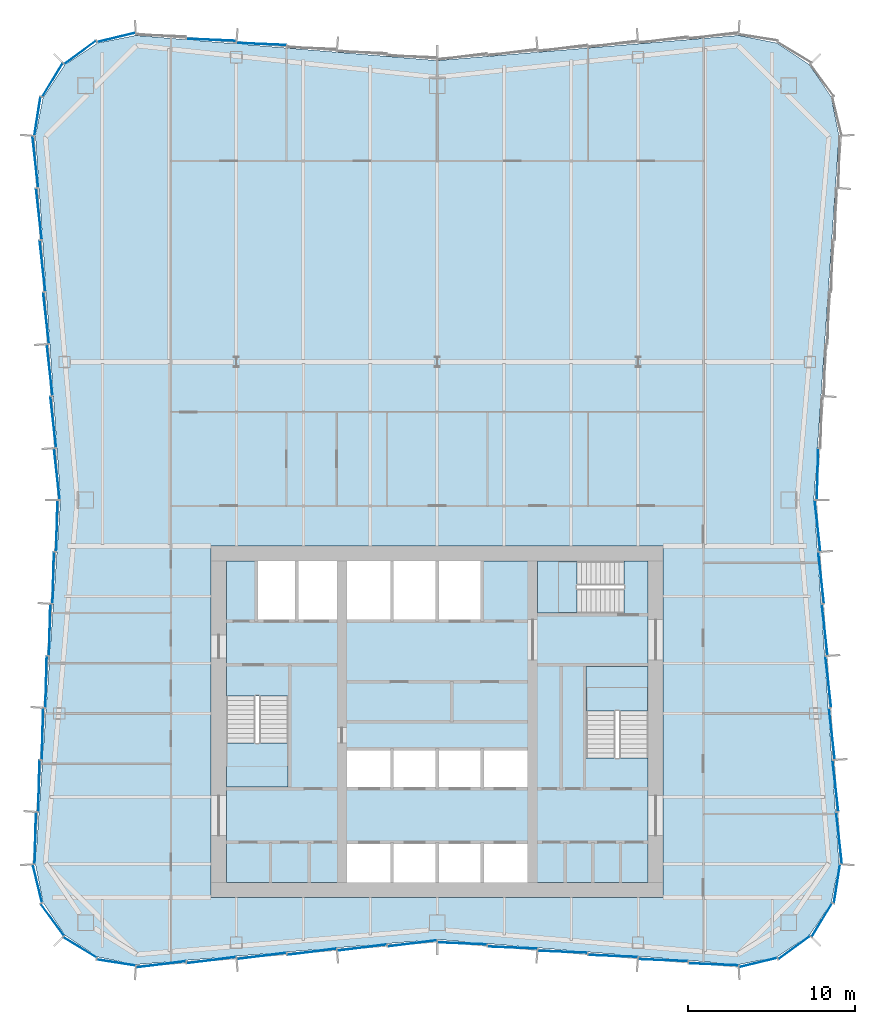
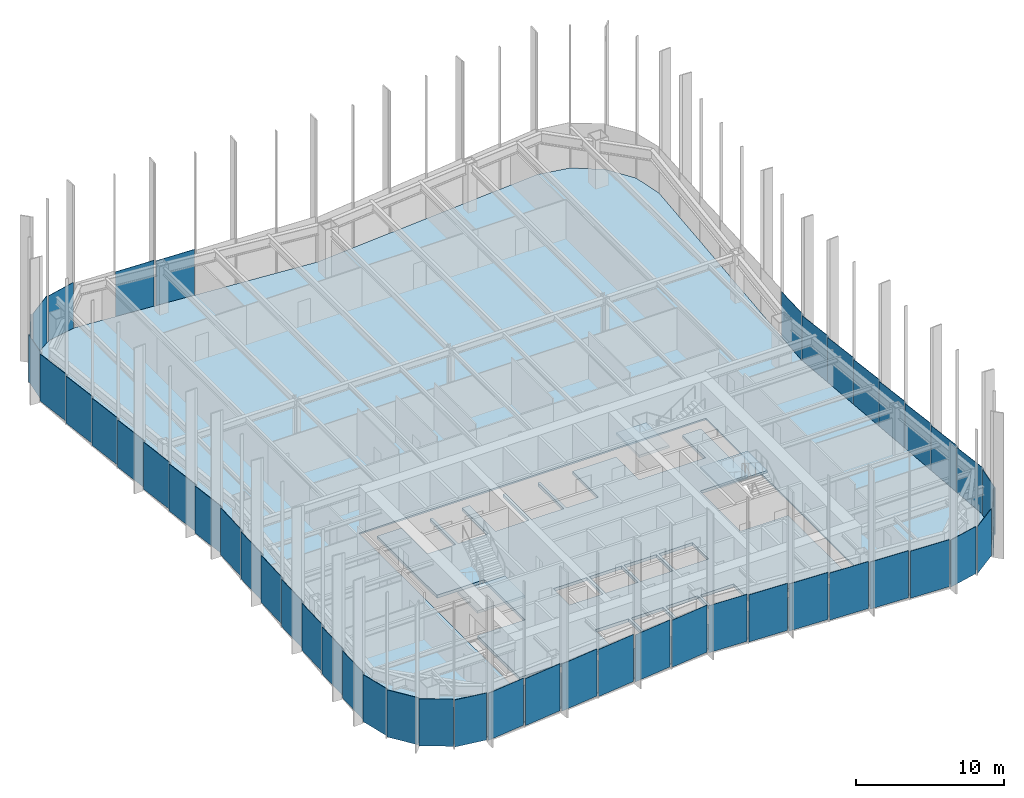
# One storey, part 8 of 13: 48 plates, 5 slabs, 10 elements without a shape of their own.
"""IFC4 building model written with IfcOpenShell, lengths in metres."""

from ifc_helpers import new_model, si_unit, direction, frame, origin, origin_2d, place, context, subcontext, project, spatial, polyline, rectangle, outline, extrude, material, layer, layer_set, type_object, element, aggregate, save


model = new_model("IFC4")

# Units and contexts
model_context = context("Model", 3, precision=1e-05, world=origin(), true_north=direction((0.0, 1.0)))
body_context = subcontext(model_context, "Body", "Model", "MODEL_VIEW")
ifc_project = project(units=[si_unit("LENGTHUNIT", "METRE"), si_unit("AREAUNIT", "SQUARE_METRE"), si_unit("VOLUMEUNIT", "CUBIC_METRE"), si_unit("PLANEANGLEUNIT", "RADIAN"), si_unit("MASSUNIT", "GRAM", prefix="KILO")], contexts=[model_context])

# Site, building, storey
site_placement = place(None, origin())
site = spatial("IfcSite", under=ifc_project, at=site_placement, CompositionType="ELEMENT")
building_placement = place(site_placement, origin())
building = spatial("IfcBuilding", under=site, at=building_placement, Name="Verdant Reach Tower", CompositionType="ELEMENT")
storey_placement = place(building_placement, frame((0.0, 0.0, 194.0)))
storey = spatial("IfcBuildingStorey", under=building, at=storey_placement, Name="L44", CompositionType="ELEMENT", Elevation=194.0)

# Stair, slab
ifc_material_1 = material(Name="Concrete C40/50", Category="concrete")
stair_type = type_object("IfcStairType", Name="CO-STAIR", PredefinedType="HALF_TURN_STAIR", material=ifc_material_1)
stair_1_placement = place(storey_placement, origin())
stair_1 = element("IfcStair", 1, at=stair_1_placement, inside=storey, type_object=stair_type, Name="L44 Exit stair 1", PredefinedType="HALF_TURN_STAIR")
ifc_layer_1 = layer(ifc_material_1, 0.199951171875)
ifc_layer_set_1 = layer_set([ifc_layer_1], Name="CO-STAIR-LANDING")
slab_type_1 = type_object("IfcSlabType", Name="CO-STAIR-LANDING", PredefinedType="LANDING", material=ifc_layer_set_1)
slab_1_placement = place(storey_placement, frame((0.0, 0.0, 1.800048828125)))
slab_1 = element("IfcSlab", 2, at=slab_1_placement, type_object=slab_type_1, Name="ST-1 landing 1", PredefinedType="LANDING", context=body_context, shape_type="SweptSolid", body=[
    extrude(outline(polyline([(-12.60009765625, 26.75), (-12.60009765625, 24.10009765625), (-8.89990234375, 24.10009765625), (-8.89990234375, 26.75), (-12.60009765625, 26.75)])), origin(), (0.0, 0.0, 1.0), 0.199951171875),
])
aggregate(stair_1, [slab_1])

stair_2_placement = place(storey_placement, origin())
stair_2 = element("IfcStair", 3, at=stair_2_placement, inside=storey, type_object=stair_type, Name="L44 Exit stair 2", PredefinedType="HALF_TURN_STAIR")
slab_2_placement = place(storey_placement, frame((0.0, 0.0, 1.800048828125)))
slab_2 = element("IfcSlab", 4, at=slab_2_placement, type_object=slab_type_1, Name="ST-2 landing 1", PredefinedType="LANDING", context=body_context, shape_type="SweptSolid", body=[
    extrude(outline(polyline([(12.60009765625, 28.64990234375), (12.60009765625, 31.300048828125), (8.89990234375, 31.300048828125), (8.89990234375, 28.64990234375), (12.60009765625, 28.64990234375)])), origin(), (0.0, 0.0, 1.0), 0.199951171875),
])
aggregate(stair_2, [slab_2])

stair_3_placement = place(storey_placement, origin())
stair_3 = element("IfcStair", 5, at=stair_3_placement, inside=storey, type_object=stair_type, Name="L44 Exit stair 3", PredefinedType="HALF_TURN_STAIR")
slab_3_placement = place(storey_placement, frame((0.0, 0.0, 1.800048828125)))
slab_3 = element("IfcSlab", 6, at=slab_3_placement, type_object=slab_type_1, Name="ST-3 landing 1", PredefinedType="LANDING", context=body_context, shape_type="SweptSolid", body=[
    extrude(outline(polyline([(8.35009765625, 37.60009765625), (6.0, 37.60009765625), (6.0, 34.5), (8.35009765625, 34.5), (8.35009765625, 37.60009765625)])), origin(), (0.0, 0.0, 1.0), 0.199951171875),
])
aggregate(stair_3, [slab_3])

# Curtain wall, plates
ifc_material_2 = material(Name="Anodised aluminium", Category="aluminium")
curtain_wall_type = type_object("IfcCurtainWallType", Name="EN-CW SYSTEM Z3", PredefinedType="NOTDEFINED", material=ifc_material_2)
curtain_wall_1_placement = place(storey_placement, origin())
curtain_wall_1 = element("IfcCurtainWall", 7, at=curtain_wall_1_placement, inside=storey, type_object=curtain_wall_type, Name="Curtain wall south-east corner, L44", PredefinedType="NOTDEFINED")
ifc_material_3 = material(Name="Tinted glass with champagne spandrel", Category="glass")
ifc_layer_2 = layer(ifc_material_3, 0.031982421875)
ifc_layer_set_2 = layer_set([ifc_layer_2], Name="EN-PANEL CHAMPAGNE")
plate_type_1 = type_object("IfcPlateType", Name="EN-PANEL CHAMPAGNE", PredefinedType="CURTAIN_PANEL", material=ifc_layer_set_2)
plate_1_placement = place(storey_placement, frame((19.171875, 13.62353515625, -0.22412109375), z_axis=(0.0, 0.0, 1.0), x_axis=(0.971655117833, 0.236402901821, 0.0)))
plate_1 = element("IfcPlate", 8, at=plate_1_placement, type_object=plate_type_1, Name="Glass panel south-east corner 1.1, L44", PredefinedType="CURTAIN_PANEL", context=body_context, shape_type="SweptSolid", body=[
    extrude(rectangle(XDim=2.3154296875, YDim=0.031982421875, at=origin_2d()), origin(), (0.0, 0.0, 1.0), 3.8740234375),
])
plate_2_placement = place(storey_placement, frame((21.328857421875, 14.51806640625, -0.22412109375), z_axis=(0.0, 0.0, 1.0), x_axis=(0.807456768214, 0.589926747542, 0.0)))
plate_2 = element("IfcPlate", 9, at=plate_2_placement, type_object=plate_type_1, Name="Glass panel south-east corner 2.1, L44", PredefinedType="CURTAIN_PANEL", context=body_context, shape_type="SweptSolid", body=[
    extrude(rectangle(XDim=2.321533203125, YDim=0.031982421875, at=origin_2d()), origin(), (0.0, 0.0, 1.0), 3.8740234375),
])

curtain_wall_2_placement = place(storey_placement, origin())
curtain_wall_2 = element("IfcCurtainWall", 10, at=curtain_wall_2_placement, inside=storey, type_object=curtain_wall_type, Name="Curtain wall east, L44", PredefinedType="NOTDEFINED")
plate_3_placement = place(storey_placement, frame((22.93017578125, 36.5966796875, -0.22412109375), z_axis=(0.0, 0.0, 1.0), x_axis=(-0.110518162674, 0.993874104562, 0.0)))
plate_3 = element("IfcPlate", 11, at=plate_3_placement, type_object=plate_type_1, Name="Glass panel east face part 1 6.1, L44", PredefinedType="CURTAIN_PANEL", context=body_context, shape_type="SweptSolid", body=[
    extrude(rectangle(XDim=3.052490234375, YDim=0.031982421875, at=origin_2d()), origin(), (0.0, 0.0, 1.0), 3.8740234375),
])
plate_4_placement = place(storey_placement, frame((22.716064453125, 39.7001953125, -0.22412109375), z_axis=(0.0, 0.0, 1.0), x_axis=(-0.110600785385, 0.993864913493, 0.0)))
plate_4 = element("IfcPlate", 12, at=plate_4_placement, type_object=plate_type_1, Name="Glass panel east face part 1 7.1, L44", PredefinedType="CURTAIN_PANEL", context=body_context, shape_type="SweptSolid", body=[
    extrude(rectangle(XDim=3.044921875, YDim=0.031982421875, at=origin_2d()), origin(), (0.0, 0.0, 1.0), 3.8740234375),
])
plate_5_placement = place(storey_placement, frame((22.716064453125, 42.7998046875, -0.22412109375), z_axis=(0.0, 0.0, 1.0), x_axis=(0.027048420339, 0.999634124546, 0.0)))
plate_5 = element("IfcPlate", 13, at=plate_5_placement, type_object=plate_type_1, Name="Glass panel east face part 2 1.1, L44", PredefinedType="CURTAIN_PANEL", context=body_context, shape_type="SweptSolid", body=[
    extrude(rectangle(XDim=3.044921875, YDim=0.031982421875, at=origin_2d()), origin(), (0.0, 0.0, 1.0), 3.8740234375),
])

# Curtain wall, plate
curtain_wall_3_placement = place(storey_placement, origin())
curtain_wall_3 = element("IfcCurtainWall", 14, at=curtain_wall_3_placement, inside=storey, type_object=curtain_wall_type, Name="Curtain wall north-west corner, L44", PredefinedType="NOTDEFINED")
plate_6_placement = place(storey_placement, frame((-23.87646484375, 64.17236328125, -0.22412109375), z_axis=(0.0, 0.0, 1.0), x_axis=(-0.154311870796, -0.988022189291, 0.0)))
plate_6 = element("IfcPlate", 15, at=plate_6_placement, type_object=plate_type_1, Name="Glass panel north-west corner 4.1, L44", PredefinedType="CURTAIN_PANEL", context=body_context, shape_type="SweptSolid", body=[
    extrude(rectangle(XDim=2.314697265625, YDim=0.031982421875, at=origin_2d()), origin(), (0.0, 0.0, 1.0), 3.8740234375),
])

# Curtain wall, plates
curtain_wall_4_placement = place(storey_placement, origin())
curtain_wall_4 = element("IfcCurtainWall", 16, at=curtain_wall_4_placement, inside=storey, type_object=curtain_wall_type, Name="Curtain wall west, L44", PredefinedType="NOTDEFINED")
plate_7_placement = place(storey_placement, frame((-23.572998046875, 55.224609375, -0.22412109375), z_axis=(0.0, 0.0, 1.0), x_axis=(0.110518162674, -0.993874104562, 0.0)))
plate_7 = element("IfcPlate", 17, at=plate_7_placement, type_object=plate_type_1, Name="Glass panel west face part 1 3.1, L44", PredefinedType="CURTAIN_PANEL", context=body_context, shape_type="SweptSolid", body=[
    extrude(rectangle(XDim=3.052490234375, YDim=0.031982421875, at=origin_2d()), origin(), (0.0, 0.0, 1.0), 3.8740234375),
])
plate_8_placement = place(storey_placement, frame((-23.358642578125, 52.117431640625, -0.22412109375), z_axis=(0.0, 0.0, 1.0), x_axis=(0.110518162674, -0.993874104562, 0.0)))
plate_8 = element("IfcPlate", 18, at=plate_8_placement, type_object=plate_type_1, Name="Glass panel west face part 1 4.1, L44", PredefinedType="CURTAIN_PANEL", context=body_context, shape_type="SweptSolid", body=[
    extrude(rectangle(XDim=3.052490234375, YDim=0.031982421875, at=origin_2d()), origin(), (0.0, 0.0, 1.0), 3.8740234375),
])
plate_9_placement = place(storey_placement, frame((-23.358642578125, 30.382568359375, -0.22412109375), z_axis=(0.0, 0.0, 1.0), x_axis=(-0.026965318308, -0.999636369691, 0.0)))
plate_9 = element("IfcPlate", 19, at=plate_9_placement, type_object=plate_type_1, Name="Glass panel west face part 2 4.1, L44", PredefinedType="CURTAIN_PANEL", context=body_context, shape_type="SweptSolid", body=[
    extrude(rectangle(XDim=3.052490234375, YDim=0.031982421875, at=origin_2d()), origin(), (0.0, 0.0, 1.0), 3.8740234375),
])
plate_10_placement = place(storey_placement, frame((-23.572998046875, 27.275390625, -0.22412109375), z_axis=(0.0, 0.0, 1.0), x_axis=(-0.026965318308, -0.999636369691, 0.0)))
plate_10 = element("IfcPlate", 20, at=plate_10_placement, type_object=plate_type_1, Name="Glass panel west face part 2 5.1, L44", PredefinedType="CURTAIN_PANEL", context=body_context, shape_type="SweptSolid", body=[
    extrude(rectangle(XDim=3.052490234375, YDim=0.031982421875, at=origin_2d()), origin(), (0.0, 0.0, 1.0), 3.8740234375),
])
plate_11_placement = place(storey_placement, frame((-23.787353515625, 24.168212890625, -0.22412109375), z_axis=(0.0, 0.0, 1.0), x_axis=(-0.026965318308, -0.999636369691, 0.0)))
plate_11 = element("IfcPlate", 21, at=plate_11_placement, type_object=plate_type_1, Name="Glass panel west face part 2 6.1, L44", PredefinedType="CURTAIN_PANEL", context=body_context, shape_type="SweptSolid", body=[
    extrude(rectangle(XDim=3.052490234375, YDim=0.031982421875, at=origin_2d()), origin(), (0.0, 0.0, 1.0), 3.8740234375),
])

curtain_wall_5_placement = place(storey_placement, origin())
curtain_wall_5 = element("IfcCurtainWall", 22, at=curtain_wall_5_placement, inside=storey, type_object=curtain_wall_type, Name="Curtain wall south-west corner, L44", PredefinedType="NOTDEFINED")
plate_12_placement = place(storey_placement, frame((-21.328857421875, 14.51806640625, -0.22412109375), z_axis=(0.0, 0.0, 1.0), x_axis=(0.853988701636, -0.520291550457, 0.0)))
plate_12 = element("IfcPlate", 23, at=plate_12_placement, type_object=plate_type_1, Name="Glass panel south-west corner 3.1, L44", PredefinedType="CURTAIN_PANEL", context=body_context, shape_type="SweptSolid", body=[
    extrude(rectangle(XDim=2.321533203125, YDim=0.031982421875, at=origin_2d()), origin(), (0.0, 0.0, 1.0), 3.8740234375),
])
plate_13_placement = place(storey_placement, frame((-19.171875, 13.62353515625, -0.22412109375), z_axis=(0.0, 0.0, 1.0), x_axis=(0.988029071555, -0.154267798848, 0.0)))
plate_13 = element("IfcPlate", 24, at=plate_13_placement, type_object=plate_type_1, Name="Glass panel south-west corner 4.1, L44", PredefinedType="CURTAIN_PANEL", context=body_context, shape_type="SweptSolid", body=[
    extrude(rectangle(XDim=2.3154296875, YDim=0.031982421875, at=origin_2d()), origin(), (0.0, 0.0, 1.0), 3.8740234375),
])

curtain_wall_6_placement = place(storey_placement, origin())
curtain_wall_6 = element("IfcCurtainWall", 25, at=curtain_wall_6_placement, inside=storey, type_object=curtain_wall_type, Name="Curtain wall south, L44", PredefinedType="NOTDEFINED")
plate_14_placement = place(storey_placement, frame((-16.49853515625, 13.516357421875, -0.22412109375), z_axis=(0.0, 0.0, 1.0), x_axis=(0.992237766434, 0.124355196363, 0.0)))
plate_14 = element("IfcPlate", 26, at=plate_14_placement, type_object=plate_type_1, Name="Glass panel south face part 1 1.1, L44", PredefinedType="CURTAIN_PANEL", context=body_context, shape_type="SweptSolid", body=[
    extrude(rectangle(XDim=2.963623046875, YDim=0.031982421875, at=origin_2d()), origin(), (0.0, 0.0, 1.0), 3.8740234375),
])
plate_15_placement = place(storey_placement, frame((-13.490966796875, 13.766357421875, -0.22412109375), z_axis=(0.0, 0.0, 1.0), x_axis=(0.992194034542, 0.124703639961, 0.0)))
plate_15 = element("IfcPlate", 27, at=plate_15_placement, type_object=plate_type_1, Name="Glass panel south face part 1 2.1, L44", PredefinedType="CURTAIN_PANEL", context=body_context, shape_type="SweptSolid", body=[
    extrude(rectangle(XDim=2.948486328125, YDim=0.031982421875, at=origin_2d()), origin(), (0.0, 0.0, 1.0), 3.8740234375),
])
plate_16_placement = place(storey_placement, frame((4.490966796875, 14.516357421875, -0.22412109375), z_axis=(0.0, 0.0, 1.0), x_axis=(0.999149202059, -0.041241629766, 0.0)))
plate_16 = element("IfcPlate", 28, at=plate_16_placement, type_object=plate_type_1, Name="Glass panel south face part 2 2.1, L44", PredefinedType="CURTAIN_PANEL", context=body_context, shape_type="SweptSolid", body=[
    extrude(rectangle(XDim=2.948486328125, YDim=0.031982421875, at=origin_2d()), origin(), (0.0, 0.0, 1.0), 3.8740234375),
])
plate_17_placement = place(storey_placement, frame((7.490966796875, 14.266357421875, -0.22412109375), z_axis=(0.0, 0.0, 1.0), x_axis=(0.999149202059, -0.041241629766, 0.0)))
plate_17 = element("IfcPlate", 29, at=plate_17_placement, type_object=plate_type_1, Name="Glass panel south face part 2 3.1, L44", PredefinedType="CURTAIN_PANEL", context=body_context, shape_type="SweptSolid", body=[
    extrude(rectangle(XDim=2.948486328125, YDim=0.031982421875, at=origin_2d()), origin(), (0.0, 0.0, 1.0), 3.8740234375),
])

# Plate
ifc_material_4 = material(Name="Tinted glass with copper spandrel", Category="glass")
ifc_layer_3 = layer(ifc_material_4, 0.031982421875)
ifc_layer_set_3 = layer_set([ifc_layer_3], Name="EN-PANEL COPPER")
plate_type_2 = type_object("IfcPlateType", Name="EN-PANEL COPPER", PredefinedType="CURTAIN_PANEL", material=ifc_layer_set_3)
plate_18_placement = place(storey_placement, frame((22.98193359375, 16.171142578125, -0.22412109375), z_axis=(0.0, 0.0, 1.0), x_axis=(0.520291550457, 0.853988701636, 0.0)))
plate_18 = element("IfcPlate", 30, at=plate_18_placement, type_object=plate_type_2, Name="Glass panel south-east corner 3.1, L44", PredefinedType="CURTAIN_PANEL", context=body_context, shape_type="SweptSolid", body=[
    extrude(rectangle(XDim=2.321533203125, YDim=0.031982421875, at=origin_2d()), origin(), (0.0, 0.0, 1.0), 3.8740234375),
])

plate_19_placement = place(storey_placement, frame((23.87646484375, 18.32763671875, -0.22412109375), z_axis=(0.0, 0.0, 1.0), x_axis=(0.154311870796, 0.988022189291, 0.0)))
plate_19 = element("IfcPlate", 31, at=plate_19_placement, type_object=plate_type_2, Name="Glass panel south-east corner 4.1, L44", PredefinedType="CURTAIN_PANEL", context=body_context, shape_type="SweptSolid", body=[
    extrude(rectangle(XDim=2.314697265625, YDim=0.031982421875, at=origin_2d()), origin(), (0.0, 0.0, 1.0), 3.8740234375),
])

aggregate(curtain_wall_1, [plate_1, plate_2, plate_18, plate_19])

plate_20_placement = place(storey_placement, frame((24.001708984375, 21.053955078125, -0.22412109375), z_axis=(0.0, 0.0, 1.0), x_axis=(-0.110214229533, 0.993907854687, 0.0)))
plate_20 = element("IfcPlate", 32, at=plate_20_placement, type_object=plate_type_2, Name="Glass panel east face part 1 1.1, L44", PredefinedType="CURTAIN_PANEL", context=body_context, shape_type="SweptSolid", body=[
    extrude(rectangle(XDim=3.06689453125, YDim=0.031982421875, at=origin_2d()), origin(), (0.0, 0.0, 1.0), 3.8740234375),
])

plate_21_placement = place(storey_placement, frame((23.787353515625, 24.168212890625, -0.22412109375), z_axis=(0.0, 0.0, 1.0), x_axis=(-0.110518162674, 0.993874104562, 0.0)))
plate_21 = element("IfcPlate", 33, at=plate_21_placement, type_object=plate_type_2, Name="Glass panel east face part 1 2.1, L44", PredefinedType="CURTAIN_PANEL", context=body_context, shape_type="SweptSolid", body=[
    extrude(rectangle(XDim=3.052490234375, YDim=0.031982421875, at=origin_2d()), origin(), (0.0, 0.0, 1.0), 3.8740234375),
])

plate_22_placement = place(storey_placement, frame((23.572998046875, 27.275390625, -0.22412109375), z_axis=(0.0, 0.0, 1.0), x_axis=(-0.110518162674, 0.993874104562, 0.0)))
plate_22 = element("IfcPlate", 34, at=plate_22_placement, type_object=plate_type_2, Name="Glass panel east face part 1 3.1, L44", PredefinedType="CURTAIN_PANEL", context=body_context, shape_type="SweptSolid", body=[
    extrude(rectangle(XDim=3.052490234375, YDim=0.031982421875, at=origin_2d()), origin(), (0.0, 0.0, 1.0), 3.8740234375),
])

plate_23_placement = place(storey_placement, frame((-19.171875, 68.87646484375, -0.22412109375), z_axis=(0.0, 0.0, 1.0), x_axis=(-0.971655117833, -0.236402901821, 0.0)))
plate_23 = element("IfcPlate", 35, at=plate_23_placement, type_object=plate_type_2, Name="Glass panel north-west corner 1.1, L44", PredefinedType="CURTAIN_PANEL", context=body_context, shape_type="SweptSolid", body=[
    extrude(rectangle(XDim=2.3154296875, YDim=0.031982421875, at=origin_2d()), origin(), (0.0, 0.0, 1.0), 3.8740234375),
])

plate_24_placement = place(storey_placement, frame((-23.14453125, 49.01025390625, -0.22412109375), z_axis=(0.0, 0.0, 1.0), x_axis=(0.110518162674, -0.993874104562, 0.0)))
plate_24 = element("IfcPlate", 36, at=plate_24_placement, type_object=plate_type_2, Name="Glass panel west face part 1 5.1, L44", PredefinedType="CURTAIN_PANEL", context=body_context, shape_type="SweptSolid", body=[
    extrude(rectangle(XDim=3.052490234375, YDim=0.031982421875, at=origin_2d()), origin(), (0.0, 0.0, 1.0), 3.8740234375),
])

plate_25_placement = place(storey_placement, frame((-22.93017578125, 45.9033203125, -0.22412109375), z_axis=(0.0, 0.0, 1.0), x_axis=(0.110518162674, -0.993874104562, 0.0)))
plate_25 = element("IfcPlate", 37, at=plate_25_placement, type_object=plate_type_2, Name="Glass panel west face part 1 6.1, L44", PredefinedType="CURTAIN_PANEL", context=body_context, shape_type="SweptSolid", body=[
    extrude(rectangle(XDim=3.052490234375, YDim=0.031982421875, at=origin_2d()), origin(), (0.0, 0.0, 1.0), 3.8740234375),
])

plate_26_placement = place(storey_placement, frame((-22.716064453125, 42.7998046875, -0.22412109375), z_axis=(0.0, 0.0, 1.0), x_axis=(0.110600785385, -0.993864913493, 0.0)))
plate_26 = element("IfcPlate", 38, at=plate_26_placement, type_object=plate_type_2, Name="Glass panel west face part 1 7.1, L44", PredefinedType="CURTAIN_PANEL", context=body_context, shape_type="SweptSolid", body=[
    extrude(rectangle(XDim=3.044921875, YDim=0.031982421875, at=origin_2d()), origin(), (0.0, 0.0, 1.0), 3.8740234375),
])

plate_27_placement = place(storey_placement, frame((-22.716064453125, 39.7001953125, -0.22412109375), z_axis=(0.0, 0.0, 1.0), x_axis=(-0.027048420339, -0.999634124546, 0.0)))
plate_27 = element("IfcPlate", 39, at=plate_27_placement, type_object=plate_type_2, Name="Glass panel west face part 2 1.1, L44", PredefinedType="CURTAIN_PANEL", context=body_context, shape_type="SweptSolid", body=[
    extrude(rectangle(XDim=3.044921875, YDim=0.031982421875, at=origin_2d()), origin(), (0.0, 0.0, 1.0), 3.8740234375),
])

plate_28_placement = place(storey_placement, frame((-24.001708984375, 21.053955078125, -0.22412109375), z_axis=(0.0, 0.0, 1.0), x_axis=(-0.026659626966, -0.999644568979, 0.0)))
plate_28 = element("IfcPlate", 40, at=plate_28_placement, type_object=plate_type_2, Name="Glass panel west face part 2 7.1, L44", PredefinedType="CURTAIN_PANEL", context=body_context, shape_type="SweptSolid", body=[
    extrude(rectangle(XDim=3.06689453125, YDim=0.031982421875, at=origin_2d()), origin(), (0.0, 0.0, 1.0), 3.8740234375),
])

plate_29_placement = place(storey_placement, frame((-10.490966796875, 14.016357421875, -0.22412109375), z_axis=(0.0, 0.0, 1.0), x_axis=(0.992194034542, 0.124703639961, 0.0)))
plate_29 = element("IfcPlate", 41, at=plate_29_placement, type_object=plate_type_2, Name="Glass panel south face part 1 3.1, L44", PredefinedType="CURTAIN_PANEL", context=body_context, shape_type="SweptSolid", body=[
    extrude(rectangle(XDim=2.948486328125, YDim=0.031982421875, at=origin_2d()), origin(), (0.0, 0.0, 1.0), 3.8740234375),
])

plate_30_placement = place(storey_placement, frame((-7.490966796875, 14.266357421875, -0.22412109375), z_axis=(0.0, 0.0, 1.0), x_axis=(0.992194034542, 0.124703639961, 0.0)))
plate_30 = element("IfcPlate", 42, at=plate_30_placement, type_object=plate_type_2, Name="Glass panel south face part 1 4.1, L44", PredefinedType="CURTAIN_PANEL", context=body_context, shape_type="SweptSolid", body=[
    extrude(rectangle(XDim=2.948486328125, YDim=0.031982421875, at=origin_2d()), origin(), (0.0, 0.0, 1.0), 3.8740234375),
])

plate_31_placement = place(storey_placement, frame((10.490966796875, 14.016357421875, -0.22412109375), z_axis=(0.0, 0.0, 1.0), x_axis=(0.999149202059, -0.041241629766, 0.0)))
plate_31 = element("IfcPlate", 43, at=plate_31_placement, type_object=plate_type_2, Name="Glass panel south face part 2 4.1, L44", PredefinedType="CURTAIN_PANEL", context=body_context, shape_type="SweptSolid", body=[
    extrude(rectangle(XDim=2.948486328125, YDim=0.031982421875, at=origin_2d()), origin(), (0.0, 0.0, 1.0), 3.8740234375),
])

plate_32_placement = place(storey_placement, frame((13.490966796875, 13.766357421875, -0.22412109375), z_axis=(0.0, 0.0, 1.0), x_axis=(0.999149202059, -0.041241629766, 0.0)))
plate_32 = element("IfcPlate", 44, at=plate_32_placement, type_object=plate_type_2, Name="Glass panel south face part 2 5.1, L44", PredefinedType="CURTAIN_PANEL", context=body_context, shape_type="SweptSolid", body=[
    extrude(rectangle(XDim=2.948486328125, YDim=0.031982421875, at=origin_2d()), origin(), (0.0, 0.0, 1.0), 3.8740234375),
])

plate_33_placement = place(storey_placement, frame((16.49853515625, 13.516357421875, -0.22412109375), z_axis=(0.0, 0.0, 1.0), x_axis=(0.999163623568, -0.040890748818, 0.0)))
plate_33 = element("IfcPlate", 45, at=plate_33_placement, type_object=plate_type_2, Name="Glass panel south face part 2 6.1, L44", PredefinedType="CURTAIN_PANEL", context=body_context, shape_type="SweptSolid", body=[
    extrude(rectangle(XDim=2.963623046875, YDim=0.031982421875, at=origin_2d()), origin(), (0.0, 0.0, 1.0), 3.8740234375),
])

ifc_material_5 = material(Name="Tinted glass with dark bronze spandrel", Category="glass")
ifc_layer_4 = layer(ifc_material_5, 0.031982421875)
ifc_layer_set_4 = layer_set([ifc_layer_4], Name="EN-PANEL DARK")
plate_type_3 = type_object("IfcPlateType", Name="EN-PANEL DARK", PredefinedType="CURTAIN_PANEL", material=ifc_layer_set_4)
plate_34_placement = place(storey_placement, frame((23.358642578125, 30.382568359375, -0.22412109375), z_axis=(0.0, 0.0, 1.0), x_axis=(-0.110518162674, 0.993874104562, 0.0)))
plate_34 = element("IfcPlate", 46, at=plate_34_placement, type_object=plate_type_3, Name="Glass panel east face part 1 4.1, L44", PredefinedType="CURTAIN_PANEL", context=body_context, shape_type="SweptSolid", body=[
    extrude(rectangle(XDim=3.052490234375, YDim=0.031982421875, at=origin_2d()), origin(), (0.0, 0.0, 1.0), 3.8740234375),
])

plate_35_placement = place(storey_placement, frame((23.14453125, 33.48974609375, -0.22412109375), z_axis=(0.0, 0.0, 1.0), x_axis=(-0.110518162674, 0.993874104562, 0.0)))
plate_35 = element("IfcPlate", 47, at=plate_35_placement, type_object=plate_type_3, Name="Glass panel east face part 1 5.1, L44", PredefinedType="CURTAIN_PANEL", context=body_context, shape_type="SweptSolid", body=[
    extrude(rectangle(XDim=3.052490234375, YDim=0.031982421875, at=origin_2d()), origin(), (0.0, 0.0, 1.0), 3.8740234375),
])

aggregate(curtain_wall_2, [plate_20, plate_21, plate_22, plate_34, plate_35, plate_3, plate_4, plate_5])

# Curtain wall, plates
curtain_wall_7_placement = place(storey_placement, origin())
curtain_wall_7 = element("IfcCurtainWall", 48, at=curtain_wall_7_placement, inside=storey, type_object=curtain_wall_type, Name="Curtain wall north, L44", PredefinedType="NOTDEFINED")
plate_36_placement = place(storey_placement, frame((-10.490966796875, 68.483642578125, -0.22412109375), z_axis=(0.0, 0.0, 1.0), x_axis=(-0.999149202059, 0.041241629766, 0.0)))
plate_36 = element("IfcPlate", 49, at=plate_36_placement, type_object=plate_type_3, Name="Glass panel north face part 2 4.1, L44", PredefinedType="CURTAIN_PANEL", context=body_context, shape_type="SweptSolid", body=[
    extrude(rectangle(XDim=2.948486328125, YDim=0.031982421875, at=origin_2d()), origin(), (0.0, 0.0, 1.0), 3.8740234375),
])
plate_37_placement = place(storey_placement, frame((-13.490966796875, 68.733642578125, -0.22412109375), z_axis=(0.0, 0.0, 1.0), x_axis=(-0.999149202059, 0.041241629766, 0.0)))
plate_37 = element("IfcPlate", 50, at=plate_37_placement, type_object=plate_type_3, Name="Glass panel north face part 2 5.1, L44", PredefinedType="CURTAIN_PANEL", context=body_context, shape_type="SweptSolid", body=[
    extrude(rectangle(XDim=2.948486328125, YDim=0.031982421875, at=origin_2d()), origin(), (0.0, 0.0, 1.0), 3.8740234375),
])
aggregate(curtain_wall_7, [plate_36, plate_37])

# Plate
plate_38_placement = place(storey_placement, frame((-21.328857421875, 67.98193359375, -0.22412109375), z_axis=(0.0, 0.0, 1.0), x_axis=(-0.807456768214, -0.589926747542, 0.0)))
plate_38 = element("IfcPlate", 51, at=plate_38_placement, type_object=plate_type_3, Name="Glass panel north-west corner 2.1, L44", PredefinedType="CURTAIN_PANEL", context=body_context, shape_type="SweptSolid", body=[
    extrude(rectangle(XDim=2.321533203125, YDim=0.031982421875, at=origin_2d()), origin(), (0.0, 0.0, 1.0), 3.8740234375),
])

plate_39_placement = place(storey_placement, frame((-22.98193359375, 66.328857421875, -0.22412109375), z_axis=(0.0, 0.0, 1.0), x_axis=(-0.520291550457, -0.853988701636, 0.0)))
plate_39 = element("IfcPlate", 52, at=plate_39_placement, type_object=plate_type_3, Name="Glass panel north-west corner 3.1, L44", PredefinedType="CURTAIN_PANEL", context=body_context, shape_type="SweptSolid", body=[
    extrude(rectangle(XDim=2.321533203125, YDim=0.031982421875, at=origin_2d()), origin(), (0.0, 0.0, 1.0), 3.8740234375),
])

aggregate(curtain_wall_3, [plate_23, plate_38, plate_39, plate_6])

plate_40_placement = place(storey_placement, frame((-24.001708984375, 61.446044921875, -0.22412109375), z_axis=(0.0, 0.0, 1.0), x_axis=(0.110214229533, -0.993907854687, 0.0)))
plate_40 = element("IfcPlate", 53, at=plate_40_placement, type_object=plate_type_3, Name="Glass panel west face part 1 1.1, L44", PredefinedType="CURTAIN_PANEL", context=body_context, shape_type="SweptSolid", body=[
    extrude(rectangle(XDim=3.06689453125, YDim=0.031982421875, at=origin_2d()), origin(), (0.0, 0.0, 1.0), 3.8740234375),
])

plate_41_placement = place(storey_placement, frame((-23.787353515625, 58.331787109375, -0.22412109375), z_axis=(0.0, 0.0, 1.0), x_axis=(0.110518162674, -0.993874104562, 0.0)))
plate_41 = element("IfcPlate", 54, at=plate_41_placement, type_object=plate_type_3, Name="Glass panel west face part 1 2.1, L44", PredefinedType="CURTAIN_PANEL", context=body_context, shape_type="SweptSolid", body=[
    extrude(rectangle(XDim=3.052490234375, YDim=0.031982421875, at=origin_2d()), origin(), (0.0, 0.0, 1.0), 3.8740234375),
])

plate_42_placement = place(storey_placement, frame((-22.93017578125, 36.5966796875, -0.22412109375), z_axis=(0.0, 0.0, 1.0), x_axis=(-0.026965318308, -0.999636369691, 0.0)))
plate_42 = element("IfcPlate", 55, at=plate_42_placement, type_object=plate_type_3, Name="Glass panel west face part 2 2.1, L44", PredefinedType="CURTAIN_PANEL", context=body_context, shape_type="SweptSolid", body=[
    extrude(rectangle(XDim=3.052490234375, YDim=0.031982421875, at=origin_2d()), origin(), (0.0, 0.0, 1.0), 3.8740234375),
])

plate_43_placement = place(storey_placement, frame((-23.14453125, 33.48974609375, -0.22412109375), z_axis=(0.0, 0.0, 1.0), x_axis=(-0.026965318308, -0.999636369691, 0.0)))
plate_43 = element("IfcPlate", 56, at=plate_43_placement, type_object=plate_type_3, Name="Glass panel west face part 2 3.1, L44", PredefinedType="CURTAIN_PANEL", context=body_context, shape_type="SweptSolid", body=[
    extrude(rectangle(XDim=3.052490234375, YDim=0.031982421875, at=origin_2d()), origin(), (0.0, 0.0, 1.0), 3.8740234375),
])

aggregate(curtain_wall_4, [plate_40, plate_41, plate_7, plate_8, plate_24, plate_25, plate_26, plate_27, plate_42, plate_43, plate_9, plate_10, plate_11, plate_28])

plate_44_placement = place(storey_placement, frame((-23.87646484375, 18.32763671875, -0.22412109375), z_axis=(0.0, 0.0, 1.0), x_axis=(0.23644624331, -0.97164457186, 0.0)))
plate_44 = element("IfcPlate", 57, at=plate_44_placement, type_object=plate_type_3, Name="Glass panel south-west corner 1.1, L44", PredefinedType="CURTAIN_PANEL", context=body_context, shape_type="SweptSolid", body=[
    extrude(rectangle(XDim=2.314697265625, YDim=0.031982421875, at=origin_2d()), origin(), (0.0, 0.0, 1.0), 3.8740234375),
])

plate_45_placement = place(storey_placement, frame((-22.98193359375, 16.171142578125, -0.22412109375), z_axis=(0.0, 0.0, 1.0), x_axis=(0.589926747542, -0.807456768214, 0.0)))
plate_45 = element("IfcPlate", 58, at=plate_45_placement, type_object=plate_type_3, Name="Glass panel south-west corner 2.1, L44", PredefinedType="CURTAIN_PANEL", context=body_context, shape_type="SweptSolid", body=[
    extrude(rectangle(XDim=2.321533203125, YDim=0.031982421875, at=origin_2d()), origin(), (0.0, 0.0, 1.0), 3.8740234375),
])

aggregate(curtain_wall_5, [plate_44, plate_45, plate_12, plate_13])

plate_46_placement = place(storey_placement, frame((-4.490966796875, 14.516357421875, -0.22412109375), z_axis=(0.0, 0.0, 1.0), x_axis=(0.992194034542, 0.124703639961, 0.0)))
plate_46 = element("IfcPlate", 59, at=plate_46_placement, type_object=plate_type_3, Name="Glass panel south face part 1 5.1, L44", PredefinedType="CURTAIN_PANEL", context=body_context, shape_type="SweptSolid", body=[
    extrude(rectangle(XDim=2.948486328125, YDim=0.031982421875, at=origin_2d()), origin(), (0.0, 0.0, 1.0), 3.8740234375),
])

plate_47_placement = place(storey_placement, frame((-1.495361328125, 14.76611328125, -0.22412109375), z_axis=(0.0, 0.0, 1.0), x_axis=(0.992178382939, 0.124828107529, 0.0)))
plate_47 = element("IfcPlate", 60, at=plate_47_placement, type_object=plate_type_3, Name="Glass panel south face part 1 6.1, L44", PredefinedType="CURTAIN_PANEL", context=body_context, shape_type="SweptSolid", body=[
    extrude(rectangle(XDim=2.939453125, YDim=0.031982421875, at=origin_2d()), origin(), (0.0, 0.0, 1.0), 3.8740234375),
])

plate_48_placement = place(storey_placement, frame((1.495361328125, 14.76611328125, -0.22412109375), z_axis=(0.0, 0.0, 1.0), x_axis=(0.999144020525, -0.041366970501, 0.0)))
plate_48 = element("IfcPlate", 61, at=plate_48_placement, type_object=plate_type_3, Name="Glass panel south face part 2 1.1, L44", PredefinedType="CURTAIN_PANEL", context=body_context, shape_type="SweptSolid", body=[
    extrude(rectangle(XDim=2.939453125, YDim=0.031982421875, at=origin_2d()), origin(), (0.0, 0.0, 1.0), 3.8740234375),
])

aggregate(curtain_wall_6, [plate_14, plate_15, plate_29, plate_30, plate_46, plate_47, plate_48, plate_16, plate_17, plate_31, plate_32, plate_33])

# Slabs
ifc_material_6 = material(Name="Concrete C35/45", Category="concrete")
ifc_layer_5 = layer(ifc_material_6, 0.1298828125)
ifc_layer_set_5 = layer_set([ifc_layer_5], Name="ST-SLAB-130")
slab_type_2 = type_object("IfcSlabType", Name="ST-SLAB-130", PredefinedType="FLOOR", material=ifc_layer_set_5)
slab_4_placement = place(storey_placement, frame((0.0, 0.0, -0.1298828125)))
element("IfcSlab", 62, at=slab_4_placement, inside=storey, type_object=slab_type_2, Name="Floor slab L44", PredefinedType="FLOOR", context=body_context, shape_type="SweptSolid", body=[
    extrude(outline(polyline([(0.0, 15.0), (-18.0, 13.5), (-20.296142578125, 13.956787109375), (-22.24267578125, 15.25732421875), (-23.543212890625, 17.203857421875), (-24.0, 19.5), (-22.5, 41.25), (-24.0, 63.0), (-23.543212890625, 65.296142578125), (-22.24267578125, 67.24267578125), (-20.296142578125, 68.543212890625), (-18.0, 69.0), (0.0, 67.5), (18.0, 69.0), (20.296142578125, 68.543212890625), (22.24267578125, 67.24267578125), (23.543212890625, 65.296142578125), (24.0, 63.0), (22.5, 41.25), (24.0, 19.5), (23.543212890625, 17.203857421875), (22.24267578125, 15.25732421875), (20.296142578125, 13.956787109375), (18.0, 13.5), (0.0, 15.0)]), holes=[polyline([(13.5, 38.5), (-13.5, 38.5), (-13.5, 17.5), (13.5, 17.5), (13.5, 38.5)])]), origin(), (0.0, 0.0, 1.0), 0.1298828125),
])
ifc_layer_6 = layer(ifc_material_6, 0.25)
ifc_layer_set_6 = layer_set([ifc_layer_6], Name="ST-SLAB-250")
slab_type_3 = type_object("IfcSlabType", Name="ST-SLAB-250", PredefinedType="FLOOR", material=ifc_layer_set_6)
slab_5_placement = place(storey_placement, frame((0.0, 0.0, -0.25)))
element("IfcSlab", 63, at=slab_5_placement, inside=storey, type_object=slab_type_3, Name="Core floor slab L44", PredefinedType="FLOOR", context=body_context, shape_type="SweptSolid", body=[
    extrude(outline(polyline([(12.60009765625, 18.39990234375), (5.39990234375, 18.39990234375), (5.39990234375, 20.699951171875), (2.800048828125, 20.699951171875), (2.800048828125, 18.39990234375), (2.60009765625, 18.39990234375), (2.60009765625, 20.699951171875), (0.10009765625, 20.699951171875), (0.10009765625, 18.39990234375), (-0.10009765625, 18.39990234375), (-0.10009765625, 20.699951171875), (-2.60009765625, 20.699951171875), (-2.60009765625, 18.39990234375), (-2.800048828125, 18.39990234375), (-2.800048828125, 20.699951171875), (-5.39990234375, 20.699951171875), (-5.39990234375, 18.39990234375), (-12.60009765625, 18.39990234375), (-12.60009765625, 24.10009765625), (-8.89990234375, 24.10009765625), (-8.89990234375, 29.548095703125), (-12.60009765625, 29.548095703125), (-12.60009765625, 37.60009765625), (-10.699951171875, 37.60009765625), (-10.699951171875, 34.10009765625), (-8.5, 34.10009765625), (-8.5, 37.60009765625), (-8.300048828125, 37.60009765625), (-8.300048828125, 34.10009765625), (-6.0, 34.10009765625), (-6.0, 37.60009765625), (-5.39990234375, 37.60009765625), (-5.39990234375, 34.10009765625), (-2.800048828125, 34.10009765625), (-2.800048828125, 37.60009765625), (-2.60009765625, 37.60009765625), (-2.60009765625, 34.10009765625), (-0.10009765625, 34.10009765625), (-0.10009765625, 37.60009765625), (0.10009765625, 37.60009765625), (0.10009765625, 34.10009765625), (2.60009765625, 34.10009765625), (2.60009765625, 37.60009765625), (6.0, 37.60009765625), (6.0, 34.5), (11.14794921875, 34.5), (11.14794921875, 37.60009765625), (12.60009765625, 37.60009765625), (12.60009765625, 31.300048828125), (8.89990234375, 31.300048828125), (8.89990234375, 25.85205078125), (12.60009765625, 25.85205078125), (12.60009765625, 18.39990234375)]), holes=[polyline([(-2.800048828125, 24.10009765625), (-2.800048828125, 26.300048828125), (-5.39990234375, 26.300048828125), (-5.39990234375, 24.10009765625), (-2.800048828125, 24.10009765625)]), polyline([(-0.10009765625, 24.10009765625), (-0.10009765625, 26.300048828125), (-2.60009765625, 26.300048828125), (-2.60009765625, 24.10009765625), (-0.10009765625, 24.10009765625)]), polyline([(2.60009765625, 24.10009765625), (2.60009765625, 26.300048828125), (0.10009765625, 26.300048828125), (0.10009765625, 24.10009765625), (2.60009765625, 24.10009765625)]), polyline([(5.39990234375, 24.10009765625), (5.39990234375, 26.300048828125), (2.800048828125, 26.300048828125), (2.800048828125, 24.10009765625), (5.39990234375, 24.10009765625)])]), origin(), (0.0, 0.0, 1.0), 0.25),
])

save(model, "model.ifc")
